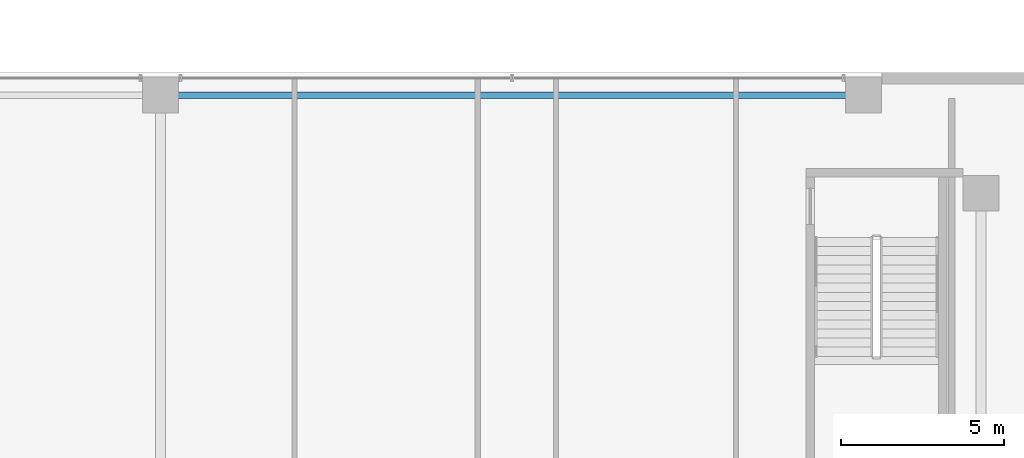
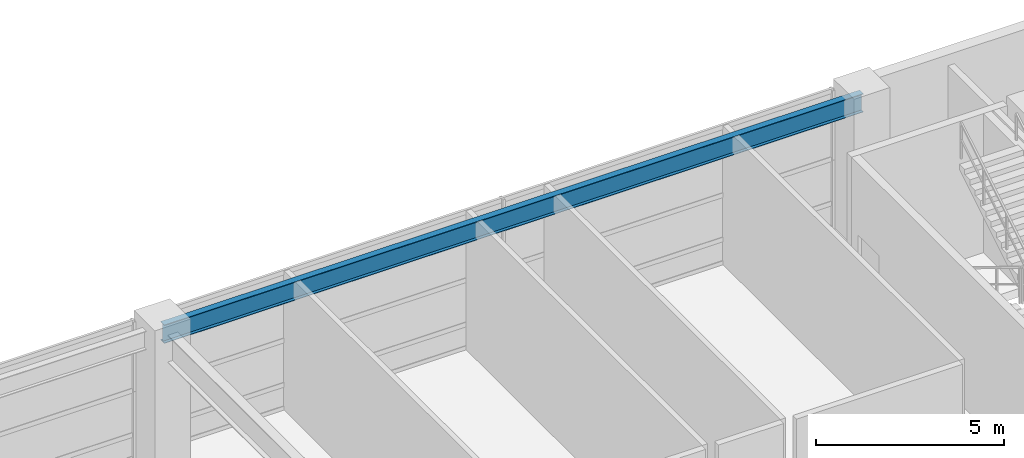
# One storey, part 22 of 37: 1 beam.
"""IFC4 building model written with IfcOpenShell, lengths in metres."""

from ifc_helpers import new_model, si_unit, direction, frame, origin, origin_2d, place, context, subcontext, project, spatial, i_section, extrude, source, transform, mapped, material, material_profile, profile_set, type_object, element, save


model = new_model("IFC4")

# Units and contexts
model_context = context("Model", 3, precision=1e-05, world=origin(), true_north=direction((0.0, 1.0)))
body_context = subcontext(model_context, "Body", "Model", "MODEL_VIEW")
ifc_project = project(units=[si_unit("LENGTHUNIT", "METRE"), si_unit("AREAUNIT", "SQUARE_METRE"), si_unit("VOLUMEUNIT", "CUBIC_METRE"), si_unit("PLANEANGLEUNIT", "RADIAN"), si_unit("MASSUNIT", "GRAM", prefix="KILO"), si_unit("THERMODYNAMICTEMPERATUREUNIT", "KELVIN"), si_unit("POWERUNIT", "WATT")], contexts=[model_context])

# Site, building, storey
site_placement = place(None, origin())
site = spatial("IfcSite", under=ifc_project, at=site_placement, CompositionType="ELEMENT")
building_placement = place(site_placement, origin())
building = spatial("IfcBuilding", under=site, at=building_placement, Name="Yuzanri Waterfront Tower", CompositionType="ELEMENT")
storey_placement = place(building_placement, frame((0.0, 0.0, 5.39990234375)))
storey = spatial("IfcBuildingStorey", under=building, at=storey_placement, Name="L02", CompositionType="ELEMENT", Elevation=5.39990234375)

# Beam
ifc_material = material(Name="Steel Q355B", Category="steel")
ifc_material_profile = material_profile(ifc_material, i_section(OverallWidth=0.199951171875, OverallDepth=0.60009765625, WebThickness=0.010986328125, FlangeThickness=0.01708984375, at=origin_2d()), Name="HN 600x200x11x17")
ifc_profile_set = profile_set([ifc_material_profile], Name="Steel Q355B")
beam_type = type_object("IfcBeamType", Name="Perimeter Spandrel Q355B HN 600x200", PredefinedType="SPANDREL", material=ifc_profile_set)
shared_shape = source(origin(), body_context, "Body", "SweptSolid", [
    extrude(i_section(OverallWidth=0.199951171875, OverallDepth=0.60009765625, WebThickness=0.010986328125, FlangeThickness=0.01708984375, at=origin_2d()), origin(), (0.0, 0.0, 1.0), 21.5),
])
beam_placement = place(storey_placement, frame((37.0, 49.10009765625, 4.22021484375), z_axis=(1.0, 0.0, 0.0), x_axis=(0.0, 1.0, 0.0)))
element("IfcBeam", 1, at=beam_placement, inside=storey, type_object=beam_type, Name="L02 North Spandrel 2", PredefinedType="SPANDREL", context=body_context, shape_type="MappedRepresentation", body=[
    mapped(shared_shape, transform((0.0, 0.0, 0.0), scale=1.0)),
])

save(model, "model.ifc")
